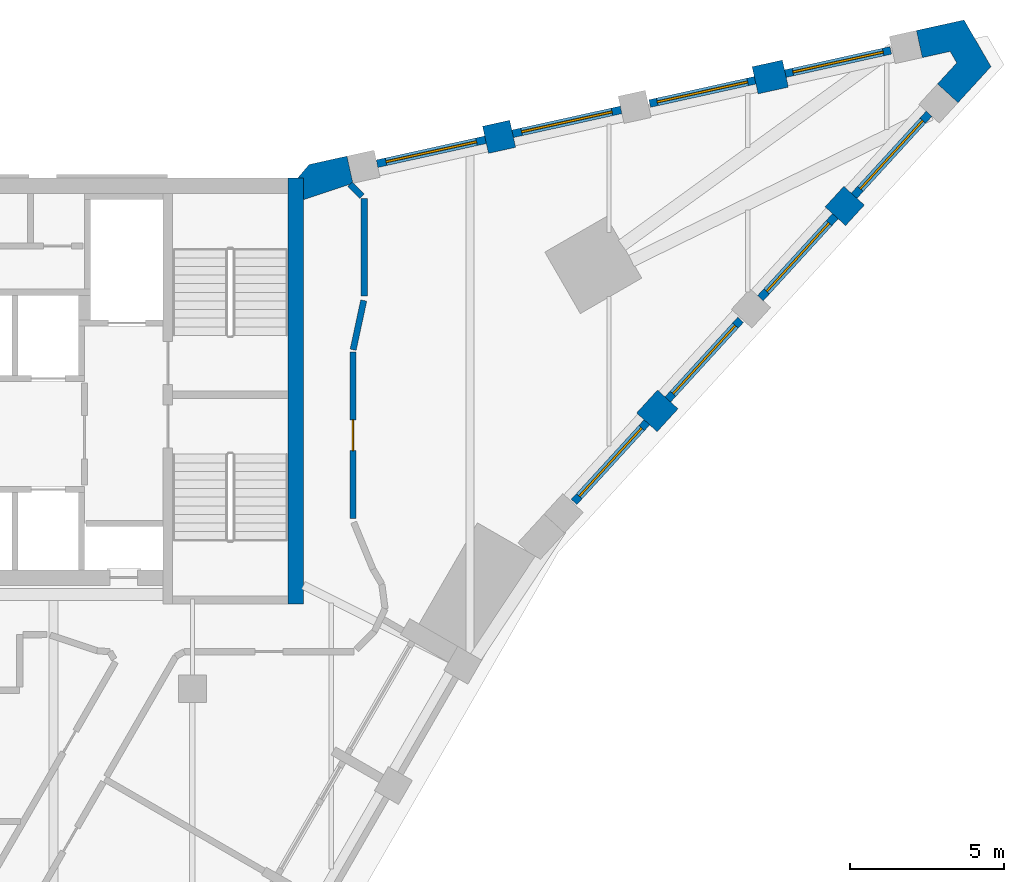
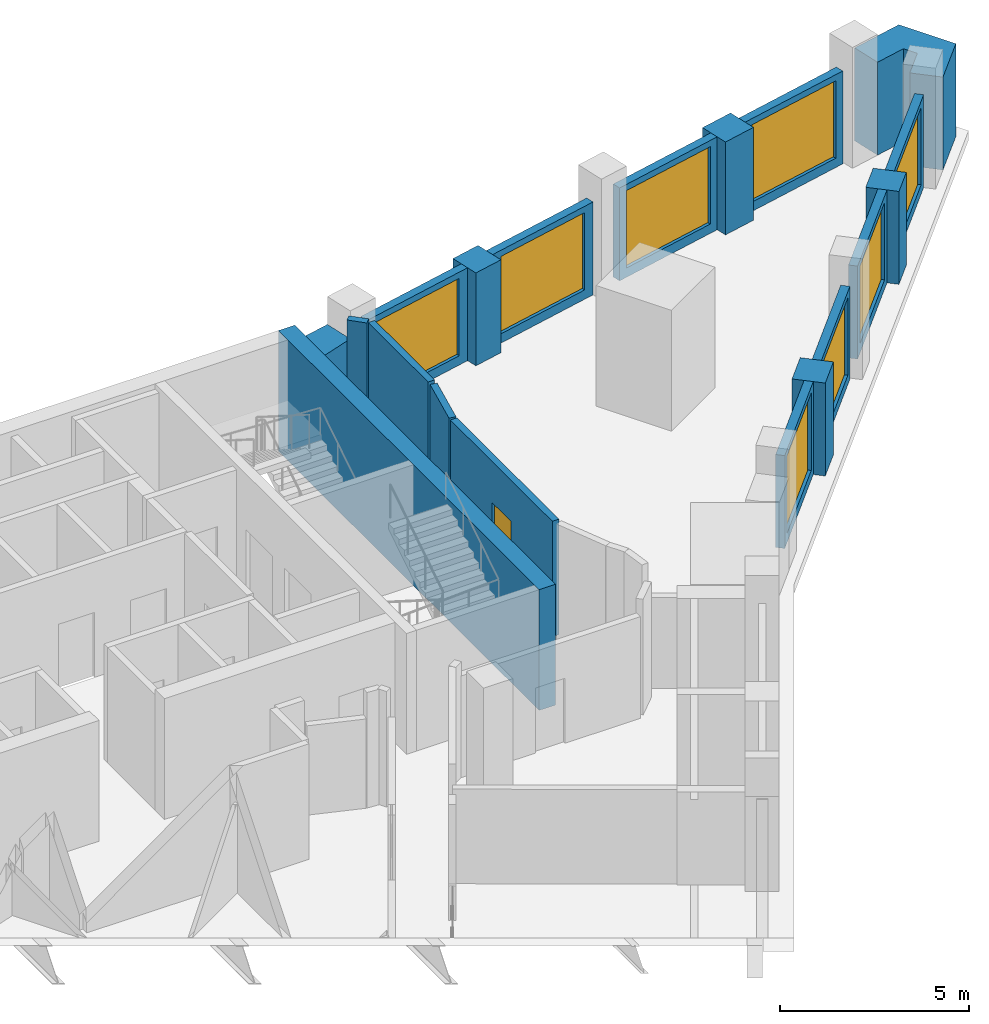
# One storey, part 7 of 9: 19 walls, 8 windows, 1 door, 9 openings.
"""IFC4 building model written with IfcOpenShell, lengths in metres."""

import ifcopenshell
import ifcopenshell.guid

model = None  # the IFC model being written
_history = None  # IfcOwnerHistory: only IFC2X3 demands one
_inside = {}  # id of a spatial element -> (the spatial element, [elements in it])
_under = {}  # id of a project, library or spatial element -> (it, [spatial elements below it])
_declared = {}  # id of a project -> (the project, [libraries it declares])
_typed = {}  # id of a type object -> (the type object, [elements of that type])
_made_of = {}  # id of a material, layer set ... -> (it, [elements and type objects made of it])


def new_model(schema):
    """Start an empty IFC model of exactly this schema.

    Asked for "IFC4X3", IfcOpenShell would pick the latest addendum, in which some entities
    have other attributes; the version numbers below select the first issue.
    IFC2X3 requires an IfcOwnerHistory on every rooted entity: one is made here for all.
    """
    global model, _history
    if schema == "IFC4X3":
        model = ifcopenshell.file(schema_version=(4, 3, 0, 0))
    else:
        model = ifcopenshell.file(schema=schema)
    _inside.clear()
    _under.clear()
    _declared.clear()
    _typed.clear()
    _made_of.clear()
    _history = None
    if model.schema == "IFC2X3":
        org = make("IfcOrganization", Name="unknown")
        user = make(
            "IfcPersonAndOrganization",
            ThePerson=make("IfcPerson", FamilyName="unknown"),
            TheOrganization=org,
        )
        app = make(
            "IfcApplication",
            ApplicationDeveloper=org,
            Version="unknown",
            ApplicationFullName="unknown",
            ApplicationIdentifier="unknown",
        )
        _history = make(
            "IfcOwnerHistory",
            OwningUser=user,
            OwningApplication=app,
            ChangeAction="ADDED",
            CreationDate=0,
        )
    return model


def make(cls, **values):
    """One entity of the class cls with the attributes given. An attribute that is None is left unset."""
    return model.create_entity(
        cls, **{name: value for name, value in values.items() if value is not None}
    )


def rooted(cls, **values):
    """An entity with a GlobalId (a new one), such as an element, a storey or a relation."""
    return make(cls, GlobalId=ifcopenshell.guid.new(), OwnerHistory=_history, **values)


def si_unit(unit_type, name, prefix=None):
    """IfcSIUnit, for example si_unit("LENGTHUNIT", "METRE", prefix="MILLI")."""
    return make("IfcSIUnit", UnitType=unit_type, Prefix=prefix, Name=name)


def assignment(units):
    """IfcUnitAssignment: the units of a project."""
    return None if units is None else make("IfcUnitAssignment", Units=units)


def point(xyz):
    """IfcCartesianPoint."""
    return None if xyz is None else make("IfcCartesianPoint", Coordinates=xyz)


def direction(xyz):
    """IfcDirection."""
    return None if xyz is None else make("IfcDirection", DirectionRatios=xyz)


def frame(location, z_axis=None, x_axis=None):
    """IfcAxis2Placement3D, a coordinate frame: its origin and axes. An axis left out is left unset."""
    return make(
        "IfcAxis2Placement3D",
        Location=point(location),
        Axis=direction(z_axis),
        RefDirection=direction(x_axis),
    )


def frame_2d(location, x_axis=None):
    """IfcAxis2Placement2D, a coordinate frame in the plane: its origin and x axis."""
    return make(
        "IfcAxis2Placement2D", Location=point(location), RefDirection=direction(x_axis)
    )


def origin():
    """The frame at (0, 0, 0) with its axes left unset."""
    return frame((0.0, 0.0, 0.0))


def place(relative_to, where):
    """IfcLocalPlacement: puts the frame where relative to a parent placement (None: the world)."""
    return make(
        "IfcLocalPlacement", PlacementRelTo=relative_to, RelativePlacement=where
    )


def context(
    kind, dimensions, precision=None, world=None, true_north=None, identifier=None
):
    """IfcGeometricRepresentationContext, for example the 3D "Model" context."""
    return make(
        "IfcGeometricRepresentationContext",
        ContextIdentifier=identifier,
        ContextType=kind,
        CoordinateSpaceDimension=dimensions,
        Precision=precision,
        WorldCoordinateSystem=world,
        TrueNorth=true_north,
    )


def subcontext(parent, identifier, kind, view, scale=None):
    """IfcGeometricRepresentationSubContext, for example "Body" below "Model"."""
    return make(
        "IfcGeometricRepresentationSubContext",
        ContextIdentifier=identifier,
        ContextType=kind,
        ParentContext=parent,
        TargetScale=scale,
        TargetView=view,
    )


def project(units=None, contexts=None):
    """IfcProject with its units and contexts."""
    return rooted(
        "IfcProject",
        Name="project",
        RepresentationContexts=contexts,
        UnitsInContext=assignment(units),
    )


def spatial(cls, under=None, at=None, **own):
    """A site, building, storey or space (cls), placed at a placement, below another one or the project."""
    s = rooted(cls, ObjectPlacement=at, **own)
    if under is not None:
        _under.setdefault(under.id(), (under, []))[1].append(s)
    return s


def polyline(points):
    """IfcPolyline through the points."""
    return make("IfcPolyline", Points=[point(p) for p in points])


def profile(cls, at=None, kind="AREA", **sizes):
    """A parametric profile (cls). Its sizes go by their IFC names, for example OverallWidth=200.0."""
    return make(cls, ProfileType=kind, Position=at, **sizes)


def rectangle(**sizes):
    """IfcRectangleProfileDef."""
    return profile("IfcRectangleProfileDef", **sizes)


def outline(outer, holes=None, kind="AREA"):
    """IfcArbitraryClosedProfileDef: a profile drawn as a closed curve; with holes, ...WithVoids."""
    if holes is None:
        return make("IfcArbitraryClosedProfileDef", ProfileType=kind, OuterCurve=outer)
    return make(
        "IfcArbitraryProfileDefWithVoids",
        ProfileType=kind,
        OuterCurve=outer,
        InnerCurves=holes,
    )


def extrude(swept, where, along, depth):
    """IfcExtrudedAreaSolid: the profile swept, set in the frame where, extruded along a direction by depth."""
    return make(
        "IfcExtrudedAreaSolid",
        SweptArea=swept,
        Position=where,
        ExtrudedDirection=direction(along),
        Depth=depth,
    )


def shape(context_of_items, identifier, shape_type, items):
    """IfcShapeRepresentation: the items that make up one representation, for example the "Body"."""
    return make(
        "IfcShapeRepresentation",
        ContextOfItems=context_of_items,
        RepresentationIdentifier=identifier,
        RepresentationType=shape_type,
        Items=items,
    )


def material(Name=None, Category=None):
    """IfcMaterial."""
    return make("IfcMaterial", Name=Name, Category=Category)


def layer(
    of_material, thickness, ventilated=None, Name=None, Category=None, Priority=None
):
    """IfcMaterialLayer: one layer of a wall or slab, of a material (None: an air gap)."""
    return make(
        "IfcMaterialLayer",
        Material=of_material,
        LayerThickness=thickness,
        IsVentilated=ventilated,
        Name=Name,
        Category=Category,
        Priority=Priority,
    )


def layer_set(layers, Name=None):
    """IfcMaterialLayerSet."""
    return make("IfcMaterialLayerSet", MaterialLayers=layers, LayerSetName=Name)


def made_of(thing, what):
    """Note that an element or type object is made of a material, layer set ...; save() writes the relation."""
    if what is not None:
        _made_of.setdefault(what.id(), (what, []))[1].append(thing)
    return thing


def type_object(cls, material=None, **own):
    """A type object (cls), such as IfcWallType, which elements share."""
    return made_of(rooted(cls, **own), material)


def element(
    cls,
    number,
    at=None,
    inside=None,
    cuts=None,
    type_object=None,
    material=None,
    context=None,
    identifier="Body",
    shape_type=None,
    held_by="IfcProductDefinitionShape",
    body=None,
    shapes=None,
    **own,
):
    """One element of the class cls, such as IfcWall. Its Tag is "e" and its number.

    at: its placement. inside: the storey or other place that contains it. cuts: it is an
    opening in that element (IfcRelVoidsElement). A single representation is given by context,
    identifier, shape_type and body (its items); several are given by shapes. held_by: the class
    of the entity that holds the representations. save() writes the other relations.
    """
    e = rooted(cls, Tag="e%d" % number, ObjectPlacement=at, **own)
    if body is not None:
        shapes = [shape(context, identifier, shape_type, body)]
    if shapes is not None:
        e.Representation = make(held_by, Representations=shapes)
    if inside is not None:
        _inside.setdefault(inside.id(), (inside, []))[1].append(e)
    if cuts is not None:
        rooted(
            "IfcRelVoidsElement", RelatingBuildingElement=cuts, RelatedOpeningElement=e
        )
    if type_object is not None:
        _typed.setdefault(type_object.id(), (type_object, []))[1].append(e)
    return made_of(e, material)


def fill(opening, filler):
    """IfcRelFillsElement: the door or window that sits in an opening."""
    return rooted(
        "IfcRelFillsElement",
        RelatingOpeningElement=opening,
        RelatedBuildingElement=filler,
    )


def aggregate(whole, parts):
    """IfcRelAggregates: a whole, such as a stair, and the parts it consists of."""
    return rooted("IfcRelAggregates", RelatingObject=whole, RelatedObjects=parts)


def save(model, path):
    """Write the relations noted so far, then the file.

    IfcRelAggregates (storeys below a building ...), IfcRelContainedInSpatialStructure (elements
    in a storey), IfcRelDefinesByType, IfcRelAssociatesMaterial and IfcRelDeclares: one each for
    every whole, place, type object, material and project.
    """
    for whole, parts in _under.values():
        aggregate(whole, parts)
    for where, things in _inside.values():
        rooted(
            "IfcRelContainedInSpatialStructure",
            RelatedElements=things,
            RelatingStructure=where,
        )
    for kind, things in _typed.values():
        rooted("IfcRelDefinesByType", RelatedObjects=things, RelatingType=kind)
    for what, things in _made_of.values():
        rooted("IfcRelAssociatesMaterial", RelatedObjects=things, RelatingMaterial=what)
    for by, libraries in _declared.values():
        rooted("IfcRelDeclares", RelatingContext=by, RelatedDefinitions=libraries)
    model.write(path)


model = new_model("IFC4")

# Units and contexts
model_context = context("Model", 3, precision=1e-05, world=origin(), true_north=direction((0.0, 1.0)))
body_context = subcontext(model_context, "Body", "Model", "MODEL_VIEW")
ifc_project = project(units=[si_unit("LENGTHUNIT", "METRE"), si_unit("AREAUNIT", "SQUARE_METRE"), si_unit("VOLUMEUNIT", "CUBIC_METRE"), si_unit("PLANEANGLEUNIT", "RADIAN"), si_unit("MASSUNIT", "GRAM", prefix="KILO")], contexts=[model_context])

# Site, building, storey
site_placement = place(None, origin())
site = spatial("IfcSite", under=ifc_project, at=site_placement, CompositionType="ELEMENT")
building_placement = place(site_placement, origin())
building = spatial("IfcBuilding", under=site, at=building_placement, Name="Calabash Gate Tower", CompositionType="ELEMENT")
storey_placement = place(building_placement, frame((0.0, 0.0, 248.199951171875)))
storey = spatial("IfcBuildingStorey", under=building, at=storey_placement, Name="L59", CompositionType="ELEMENT", Elevation=248.199951171875)

# Walls
ifc_material_1 = material(Name="Terracotta brick masonry, exposed face", Category="masonry")
ifc_layer_1 = layer(ifc_material_1, 0.89990234375)
ifc_layer_set_1 = layer_set([ifc_layer_1], Name="Brick end wall 900")
wall_type_1 = type_object("IfcWallType", Name="Brick end wall 900", PredefinedType="SOLIDWALL", material=ifc_layer_set_1)
wall_1_placement = place(storey_placement, frame((23.728515625, 11.135009765625, 0.0), z_axis=(0.0, 0.0, 1.0), x_axis=(0.674788120713, 0.738011512203, 0.0)))
element("IfcWall", 1, at=wall_1_placement, inside=storey, type_object=wall_type_1, Name="Brick pier S17 wedge3.1", PredefinedType="SOLIDWALL", context=body_context, shape_type="SweptSolid", body=[
    extrude(rectangle(XDim=1.00390625, YDim=0.89990234375, at=frame_2d((0.501953125, 0.0))), origin(), (0.0, 0.0, 1.0), 3.0),
])
wall_2_placement = place(storey_placement, frame((30.44482421875, 18.47900390625, 0.0), z_axis=(0.0, 0.0, 1.0), x_axis=(-0.674938051731, -0.737874397391, 0.0)))
element("IfcWall", 2, at=wall_2_placement, inside=storey, type_object=wall_type_1, Name="Brick pier S17 wedge3.3", PredefinedType="SOLIDWALL", context=body_context, shape_type="SweptSolid", body=[
    extrude(rectangle(XDim=0.89990234375, YDim=0.89990234375, at=frame_2d((0.449951171875, 0.0))), origin(), (0.0, 0.0, 1.0), 3.0),
])
wall_3_placement = place(storey_placement, frame((28.21728515625, 22.436279296875, 0.0), z_axis=(0.0, 0.0, 1.0), x_axis=(-0.97656888558, -0.215205045752, 0.0)))
element("IfcWall", 3, at=wall_3_placement, inside=storey, type_object=wall_type_1, Name="Brick pier S17 wedge5.1", PredefinedType="SOLIDWALL", context=body_context, shape_type="SweptSolid", body=[
    extrude(rectangle(XDim=1.00390625, YDim=0.89990234375, at=frame_2d((0.501953125, 0.0))), origin(), (0.0, 0.0, 1.0), 3.0),
])
wall_4_placement = place(storey_placement, frame((18.4990234375, 20.2919921875, 0.0), z_axis=(0.0, 0.0, 1.0), x_axis=(0.976473402733, 0.215637876437, 0.0)))
element("IfcWall", 4, at=wall_4_placement, inside=storey, type_object=wall_type_1, Name="Brick pier S17 wedge5.3", PredefinedType="SOLIDWALL", context=body_context, shape_type="SweptSolid", body=[
    extrude(rectangle(XDim=0.900146484375, YDim=0.89990234375, at=frame_2d((0.4501953125, 0.0))), origin(), (0.0, 0.0, 1.0), 3.0),
])
wall_5_placement = place(storey_placement, origin())
element("IfcWall", 5, at=wall_5_placement, inside=storey, type_object=wall_type_1, Name="Brick end wall S17 2", PredefinedType="SOLIDWALL", context=body_context, shape_type="SweptSolid", body=[
    extrude(outline(polyline([(33.813720703125, 21.496337890625), (34.881591796875, 22.663818359375), (34.0087890625, 24.175048828125), (32.4638671875, 23.834228515625), (32.65771484375, 22.955322265625), (33.55908203125, 23.154296875), (33.7724609375, 22.78466796875), (33.149658203125, 22.103759765625), (33.813720703125, 21.496337890625)])), origin(), (0.0, 0.0, 1.0), 3.0),
])
wall_6_placement = place(storey_placement, origin())
element("IfcWall", 6, at=wall_6_placement, inside=storey, type_object=wall_type_1, Name="Brick end wall S17 3", PredefinedType="SOLIDWALL", context=body_context, shape_type="SweptSolid", body=[
    extrude(outline(polyline([(14.201416015625, 18.883056640625), (14.0078125, 19.761962890625), (12.784423828125, 19.491943359375), (12.410400390625, 19.052490234375), (12.60009765625, 19.052490234375), (12.60009765625, 18.351806640625), (14.201416015625, 18.883056640625)])), origin(), (0.0, 0.0, 1.0), 3.0),
])
ifc_material_2 = material(Name="Concrete C60/75", Category="concrete")
ifc_layer_2 = layer(ifc_material_2, 0.5)
ifc_layer_set_2 = layer_set([ifc_layer_2], Name="Core wall 500 Concrete C60/75")
wall_type_2 = type_object("IfcWallType", Name="Core wall 500 Concrete C60/75", PredefinedType="SHEAR", material=ifc_layer_set_2)
wall_7_placement = place(storey_placement, frame((12.35009765625, 5.252685546875, 0.0), z_axis=(0.0, 0.0, 1.0), x_axis=(0.0, 1.0, 0.0)))
element("IfcWall", 7, at=wall_7_placement, inside=storey, type_object=wall_type_2, Name="Core wall Z5-COLE L59", PredefinedType="SHEAR", context=body_context, shape_type="SweptSolid", body=[
    extrude(rectangle(XDim=13.7998046875, YDim=0.5, at=frame_2d((6.89990234375, 0.0))), origin(), (0.0, 0.0, 1.0), 3.900146484375),
])

# Wall, opening, door
ifc_material_3 = material(Name="Gypsum board on steel studs, mineral wool", Category="steel")
ifc_layer_3 = layer(ifc_material_3, 0.199951171875)
ifc_layer_set_3 = layer_set([ifc_layer_3], Name="Partition 200 gypsum board EI 60")
wall_type_3 = type_object("IfcWallType", Name="Partition 200 gypsum board EI 60", PredefinedType="PARTITIONING", material=ifc_layer_set_3)
wall_8_placement = place(storey_placement, frame((14.200439453125, 8.017333984375, 0.0), z_axis=(0.0, 0.0, 1.0), x_axis=(0.0, 1.0, 0.0)))
wall_8 = element("IfcWall", 8, at=wall_8_placement, inside=storey, type_object=wall_type_3, Name="Partition", PredefinedType="PARTITIONING", context=body_context, shape_type="SweptSolid", body=[
    extrude(rectangle(XDim=5.400146484375, YDim=0.199951171875, at=frame_2d((2.7001953125, 0.0))), origin(), (0.0, 0.0, 1.0), 3.72998046875),
])
opening_1_placement = place(wall_8_placement, frame((2.2001953125, 0.0, 0.0)))
opening_1 = element("IfcOpeningElement", 9, at=opening_1_placement, cuts=wall_8, Name="Opening 59-61-010", PredefinedType="OPENING", context=body_context, shape_type="SweptSolid", body=[
    extrude(rectangle(XDim=1.0, YDim=2.39990234375, at=frame_2d((0.5, 1.199951171875))), frame((0.0, 0.10986328125, 0.0), z_axis=(0.0, -1.0, 0.0), x_axis=(1.0, 0.0, 0.0)), (0.0, 0.0, 1.0), 0.219970703125),
])
ifc_material_4 = material(Name="Painted timber door", Category="wood")
door_type = type_object("IfcDoorType", Name="OD2 Glazed office door 1000x2400", OperationType="NOTDEFINED", PredefinedType="DOOR", material=ifc_material_4)
door_placement = place(opening_1_placement, origin())
door = element("IfcDoor", 10, at=door_placement, inside=storey, type_object=door_type, Name="Glazed office door", OperationType="SINGLE_SWING_LEFT", OverallHeight=2.39990234375, OverallWidth=1.0, PredefinedType="DOOR", context=body_context, shape_type="SweptSolid", body=[
    extrude(rectangle(XDim=1.0, YDim=2.39990234375, at=frame_2d((0.5, 1.199951171875))), frame((0.0, 0.02490234375, 0.0), z_axis=(0.0, -1.0, 0.0), x_axis=(1.0, 0.0, 0.0)), (0.0, 0.0, 1.0), 0.050048828125),
])
fill(opening_1, door)

# Walls
wall_9_placement = place(storey_placement, frame((14.2080078125, 13.48681640625, 0.0), z_axis=(0.0, 0.0, 1.0), x_axis=(0.210294567168, 0.977638069543, 0.0)))
element("IfcWall", 11, at=wall_9_placement, inside=storey, type_object=wall_type_3, Name="Partition", PredefinedType="PARTITIONING", context=body_context, shape_type="SweptSolid", body=[
    extrude(rectangle(XDim=1.633544921875, YDim=0.199951171875, at=frame_2d((0.81689453125, 0.0))), origin(), (0.0, 0.0, 1.0), 3.72998046875),
])
wall_10_placement = place(storey_placement, frame((14.566162109375, 18.392578125, 0.0), z_axis=(0.0, 0.0, 1.0), x_axis=(0.0, -1.0, 0.0)))
element("IfcWall", 12, at=wall_10_placement, inside=storey, type_object=wall_type_3, Name="Partition", PredefinedType="PARTITIONING", context=body_context, shape_type="SweptSolid", body=[
    extrude(rectangle(XDim=3.169921875, YDim=0.199951171875, at=frame_2d((1.5849609375, 0.0))), origin(), (0.0, 0.0, 1.0), 3.72998046875),
])
wall_11_placement = place(storey_placement, frame((14.107177734375, 18.851806640625, 0.0), z_axis=(0.0, 0.0, 1.0), x_axis=(0.707106781187, -0.707106781187, 0.0)))
element("IfcWall", 13, at=wall_11_placement, inside=storey, type_object=wall_type_3, Name="Partition", PredefinedType="PARTITIONING", context=body_context, shape_type="SweptSolid", body=[
    extrude(rectangle(XDim=0.54931640625, YDim=0.199951171875, at=frame_2d((0.274658203125, 0.0))), origin(), (0.0, 0.0, 1.0), 3.72998046875),
])

# Wall, opening, window
ifc_material_5 = material(Name="Aluminium framed window wall with insulated spandrel", Category="aluminium")
ifc_layer_4 = layer(ifc_material_5, 0.25)
ifc_layer_set_4 = layer_set([ifc_layer_4], Name="Prow window wall 250")
wall_type_4 = type_object("IfcWallType", Name="Prow window wall 250", PredefinedType="ELEMENTEDWALL", material=ifc_layer_set_4)
wall_12_placement = place(storey_placement, frame((21.367919921875, 8.5537109375, 0.0), z_axis=(0.0, 0.0, 1.0), x_axis=(0.67487449122, 0.737932531537, 0.0)))
wall_12 = element("IfcWall", 14, at=wall_12_placement, inside=storey, type_object=wall_type_4, Name="Prow window wall S17 wedge3.1", PredefinedType="ELEMENTEDWALL", context=body_context, shape_type="SweptSolid", body=[
    extrude(rectangle(XDim=3.5, YDim=0.25, at=frame_2d((1.75, 0.0))), origin(), (0.0, 0.0, 1.0), 3.0),
])
opening_2_placement = place(wall_12_placement, frame((0.25, 0.0, 0.300048828125)))
opening_2 = element("IfcOpeningElement", 15, at=opening_2_placement, cuts=wall_12, Name="Opening WP2", PredefinedType="OPENING", context=body_context, shape_type="SweptSolid", body=[
    extrude(rectangle(XDim=3.0, YDim=2.5, at=frame_2d((1.5, 1.25))), frame((0.0, 0.135009765625, 0.0), z_axis=(0.0, -1.0, 0.0), x_axis=(1.0, 0.0, 0.0)), (0.0, 0.0, 1.0), 0.27001953125),
])
ifc_material_6 = material(Name="Anodised aluminium frame, bronze finish, impact-rated laminated clear glazing", Category="aluminium")
window_type = type_object("IfcWindowType", Name="Window WP2 3000x2500", PartitioningType="DOUBLE_PANEL_VERTICAL", PredefinedType="WINDOW", material=ifc_material_6)
window_1_placement = place(opening_2_placement, origin())
window_1 = element("IfcWindow", 16, at=window_1_placement, inside=storey, type_object=window_type, Name="Prow window WP2 S17 wedge3.1", OverallHeight=2.5, OverallWidth=3.0, PartitioningType="SINGLE_PANEL", PredefinedType="WINDOW", context=body_context, shape_type="SweptSolid", body=[
    extrude(rectangle(XDim=3.0, YDim=2.5, at=frame_2d((1.5, 1.25))), frame((0.0, 0.030029296875, 0.0), z_axis=(0.0, -1.0, 0.0), x_axis=(1.0, 0.0, 0.0)), (0.0, 0.0, 1.0), 0.06005859375),
])
fill(opening_2, window_1)

wall_13_placement = place(storey_placement, frame((24.40478515625, 11.87451171875, 0.0), z_axis=(0.0, 0.0, 1.0), x_axis=(0.67487449122, 0.737932531537, 0.0)))
wall_13 = element("IfcWall", 17, at=wall_13_placement, inside=storey, type_object=wall_type_4, Name="Prow window wall S17 wedge3.2", PredefinedType="ELEMENTEDWALL", context=body_context, shape_type="SweptSolid", body=[
    extrude(rectangle(XDim=3.5, YDim=0.25, at=frame_2d((1.75, 0.0))), origin(), (0.0, 0.0, 1.0), 3.0),
])
opening_3_placement = place(wall_13_placement, frame((0.25, 0.0, 0.300048828125)))
opening_3 = element("IfcOpeningElement", 18, at=opening_3_placement, cuts=wall_13, Name="Opening WP2", PredefinedType="OPENING", context=body_context, shape_type="SweptSolid", body=[
    extrude(rectangle(XDim=3.0, YDim=2.5, at=frame_2d((1.5, 1.25))), frame((0.0, 0.135009765625, 0.0), z_axis=(0.0, -1.0, 0.0), x_axis=(1.0, 0.0, 0.0)), (0.0, 0.0, 1.0), 0.27001953125),
])
window_2_placement = place(opening_3_placement, origin())
window_2 = element("IfcWindow", 19, at=window_2_placement, inside=storey, type_object=window_type, Name="Prow window WP2 S17 wedge3.2", OverallHeight=2.5, OverallWidth=3.0, PartitioningType="SINGLE_PANEL", PredefinedType="WINDOW", context=body_context, shape_type="SweptSolid", body=[
    extrude(rectangle(XDim=3.0, YDim=2.5, at=frame_2d((1.5, 1.25))), frame((0.0, 0.030029296875, 0.0), z_axis=(0.0, -1.0, 0.0), x_axis=(1.0, 0.0, 0.0)), (0.0, 0.0, 1.0), 0.06005859375),
])
fill(opening_3, window_2)

wall_14_placement = place(storey_placement, frame((27.407958984375, 15.158203125, 0.0), z_axis=(0.0, 0.0, 1.0), x_axis=(0.674833575111, 0.737969949187, 0.0)))
wall_14 = element("IfcWall", 20, at=wall_14_placement, inside=storey, type_object=wall_type_4, Name="Prow window wall S17 wedge3.3", PredefinedType="ELEMENTEDWALL", context=body_context, shape_type="SweptSolid", body=[
    extrude(rectangle(XDim=3.60009765625, YDim=0.25, at=frame_2d((1.800048828125, 0.0))), origin(), (0.0, 0.0, 1.0), 3.0),
])
opening_4_placement = place(wall_14_placement, frame((0.300048828125, 0.0, 0.300048828125)))
opening_4 = element("IfcOpeningElement", 21, at=opening_4_placement, cuts=wall_14, Name="Opening WP2", PredefinedType="OPENING", context=body_context, shape_type="SweptSolid", body=[
    extrude(rectangle(XDim=3.0, YDim=2.5, at=frame_2d((1.5, 1.25))), frame((0.0, 0.135009765625, 0.0), z_axis=(0.0, -1.0, 0.0), x_axis=(1.0, 0.0, 0.0)), (0.0, 0.0, 1.0), 0.27001953125),
])
window_3_placement = place(opening_4_placement, origin())
window_3 = element("IfcWindow", 22, at=window_3_placement, inside=storey, type_object=window_type, Name="Prow window WP2 S17 wedge3.3", OverallHeight=2.5, OverallWidth=3.0, PartitioningType="SINGLE_PANEL", PredefinedType="WINDOW", context=body_context, shape_type="SweptSolid", body=[
    extrude(rectangle(XDim=3.0, YDim=2.5, at=frame_2d((1.5, 1.25))), frame((0.0, 0.030029296875, 0.0), z_axis=(0.0, -1.0, 0.0), x_axis=(1.0, 0.0, 0.0)), (0.0, 0.0, 1.0), 0.06005859375),
])
fill(opening_4, window_3)

wall_15_placement = place(storey_placement, frame((30.44482421875, 18.47900390625, 0.0), z_axis=(0.0, 0.0, 1.0), x_axis=(0.674833575111, 0.737969949187, 0.0)))
wall_15 = element("IfcWall", 23, at=wall_15_placement, inside=storey, type_object=wall_type_4, Name="Prow window wall S17 wedge3.4", PredefinedType="ELEMENTEDWALL", context=body_context, shape_type="SweptSolid", body=[
    extrude(rectangle(XDim=3.60009765625, YDim=0.25, at=frame_2d((1.800048828125, 0.0))), origin(), (0.0, 0.0, 1.0), 3.0),
])
opening_5_placement = place(wall_15_placement, frame((0.300048828125, 0.0, 0.300048828125)))
opening_5 = element("IfcOpeningElement", 24, at=opening_5_placement, cuts=wall_15, Name="Opening WP2", PredefinedType="OPENING", context=body_context, shape_type="SweptSolid", body=[
    extrude(rectangle(XDim=3.0, YDim=2.5, at=frame_2d((1.5, 1.25))), frame((0.0, 0.135009765625, 0.0), z_axis=(0.0, -1.0, 0.0), x_axis=(1.0, 0.0, 0.0)), (0.0, 0.0, 1.0), 0.27001953125),
])
window_4_placement = place(opening_5_placement, origin())
window_4 = element("IfcWindow", 25, at=window_4_placement, inside=storey, type_object=window_type, Name="Prow window WP2 S17 wedge3.4", OverallHeight=2.5, OverallWidth=3.0, PartitioningType="SINGLE_PANEL", PredefinedType="WINDOW", context=body_context, shape_type="SweptSolid", body=[
    extrude(rectangle(XDim=3.0, YDim=2.5, at=frame_2d((1.5, 1.25))), frame((0.0, 0.030029296875, 0.0), z_axis=(0.0, -1.0, 0.0), x_axis=(1.0, 0.0, 0.0)), (0.0, 0.0, 1.0), 0.06005859375),
])
fill(opening_5, window_4)

wall_16_placement = place(storey_placement, frame((31.633056640625, 23.190185546875, 0.0), z_axis=(0.0, 0.0, 1.0), x_axis=(-0.976509313763, -0.215475196101, 0.0)))
wall_16 = element("IfcWall", 26, at=wall_16_placement, inside=storey, type_object=wall_type_4, Name="Prow window wall S17 wedge5.1", PredefinedType="ELEMENTEDWALL", context=body_context, shape_type="SweptSolid", body=[
    extrude(rectangle(XDim=3.5, YDim=0.25, at=frame_2d((1.75, 0.0))), origin(), (0.0, 0.0, 1.0), 3.0),
])
opening_6_placement = place(wall_16_placement, frame((0.25, 0.0, 0.300048828125)))
opening_6 = element("IfcOpeningElement", 27, at=opening_6_placement, cuts=wall_16, Name="Opening WP2", PredefinedType="OPENING", context=body_context, shape_type="SweptSolid", body=[
    extrude(rectangle(XDim=3.0, YDim=2.5, at=frame_2d((1.5, 1.25))), frame((0.0, 0.135009765625, 0.0), z_axis=(0.0, -1.0, 0.0), x_axis=(1.0, 0.0, 0.0)), (0.0, 0.0, 1.0), 0.27001953125),
])
window_5_placement = place(opening_6_placement, origin())
window_5 = element("IfcWindow", 28, at=window_5_placement, inside=storey, type_object=window_type, Name="Prow window WP2 S17 wedge5.1", OverallHeight=2.5, OverallWidth=3.0, PartitioningType="SINGLE_PANEL", PredefinedType="WINDOW", context=body_context, shape_type="SweptSolid", body=[
    extrude(rectangle(XDim=3.0, YDim=2.5, at=frame_2d((1.5, 1.25))), frame((0.0, 0.030029296875, 0.0), z_axis=(0.0, -1.0, 0.0), x_axis=(1.0, 0.0, 0.0)), (0.0, 0.0, 1.0), 0.06005859375),
])
fill(opening_6, window_5)

wall_17_placement = place(storey_placement, frame((27.23876953125, 22.220458984375, 0.0), z_axis=(0.0, 0.0, 1.0), x_axis=(-0.976509313763, -0.215475196101, 0.0)))
wall_17 = element("IfcWall", 29, at=wall_17_placement, inside=storey, type_object=wall_type_4, Name="Prow window wall S17 wedge5.2", PredefinedType="ELEMENTEDWALL", context=body_context, shape_type="SweptSolid", body=[
    extrude(rectangle(XDim=3.5, YDim=0.25, at=frame_2d((1.75, 0.0))), origin(), (0.0, 0.0, 1.0), 3.0),
])
opening_7_placement = place(wall_17_placement, frame((0.25, 0.0, 0.300048828125)))
opening_7 = element("IfcOpeningElement", 30, at=opening_7_placement, cuts=wall_17, Name="Opening WP2", PredefinedType="OPENING", context=body_context, shape_type="SweptSolid", body=[
    extrude(rectangle(XDim=3.0, YDim=2.5, at=frame_2d((1.5, 1.25))), frame((0.0, 0.135009765625, 0.0), z_axis=(0.0, -1.0, 0.0), x_axis=(1.0, 0.0, 0.0)), (0.0, 0.0, 1.0), 0.27001953125),
])
window_6_placement = place(opening_7_placement, origin())
window_6 = element("IfcWindow", 31, at=window_6_placement, inside=storey, type_object=window_type, Name="Prow window WP2 S17 wedge5.2", OverallHeight=2.5, OverallWidth=3.0, PartitioningType="SINGLE_PANEL", PredefinedType="WINDOW", context=body_context, shape_type="SweptSolid", body=[
    extrude(rectangle(XDim=3.0, YDim=2.5, at=frame_2d((1.5, 1.25))), frame((0.0, 0.030029296875, 0.0), z_axis=(0.0, -1.0, 0.0), x_axis=(1.0, 0.0, 0.0)), (0.0, 0.0, 1.0), 0.06005859375),
])
fill(opening_7, window_6)

wall_18_placement = place(storey_placement, frame((22.893310546875, 21.26171875, 0.0), z_axis=(0.0, 0.0, 1.0), x_axis=(-0.976513072969, -0.215458159096, 0.0)))
wall_18 = element("IfcWall", 32, at=wall_18_placement, inside=storey, type_object=wall_type_4, Name="Prow window wall S17 wedge5.3", PredefinedType="ELEMENTEDWALL", context=body_context, shape_type="SweptSolid", body=[
    extrude(rectangle(XDim=3.599853515625, YDim=0.25, at=frame_2d((1.7998046875, 0.0))), origin(), (0.0, 0.0, 1.0), 3.0),
])
opening_8_placement = place(wall_18_placement, frame((0.300048828125, 0.0, 0.300048828125)))
opening_8 = element("IfcOpeningElement", 33, at=opening_8_placement, cuts=wall_18, Name="Opening WP2", PredefinedType="OPENING", context=body_context, shape_type="SweptSolid", body=[
    extrude(rectangle(XDim=3.0, YDim=2.5, at=frame_2d((1.5, 1.25))), frame((0.0, 0.135009765625, 0.0), z_axis=(0.0, -1.0, 0.0), x_axis=(1.0, 0.0, 0.0)), (0.0, 0.0, 1.0), 0.27001953125),
])
window_7_placement = place(opening_8_placement, origin())
window_7 = element("IfcWindow", 34, at=window_7_placement, inside=storey, type_object=window_type, Name="Prow window WP2 S17 wedge5.3", OverallHeight=2.5, OverallWidth=3.0, PartitioningType="SINGLE_PANEL", PredefinedType="WINDOW", context=body_context, shape_type="SweptSolid", body=[
    extrude(rectangle(XDim=3.0, YDim=2.5, at=frame_2d((1.5, 1.25))), frame((0.0, 0.030029296875, 0.0), z_axis=(0.0, -1.0, 0.0), x_axis=(1.0, 0.0, 0.0)), (0.0, 0.0, 1.0), 0.06005859375),
])
fill(opening_8, window_7)

wall_19_placement = place(storey_placement, frame((18.4990234375, 20.2919921875, 0.0), z_axis=(0.0, 0.0, 1.0), x_axis=(-0.976513072969, -0.215458159096, 0.0)))
wall_19 = element("IfcWall", 35, at=wall_19_placement, inside=storey, type_object=wall_type_4, Name="Prow window wall S17 wedge5.4", PredefinedType="ELEMENTEDWALL", context=body_context, shape_type="SweptSolid", body=[
    extrude(rectangle(XDim=3.599853515625, YDim=0.25, at=frame_2d((1.7998046875, 0.0))), origin(), (0.0, 0.0, 1.0), 3.0),
])
opening_9_placement = place(wall_19_placement, frame((0.300048828125, 0.0, 0.300048828125)))
opening_9 = element("IfcOpeningElement", 36, at=opening_9_placement, cuts=wall_19, Name="Opening WP2", PredefinedType="OPENING", context=body_context, shape_type="SweptSolid", body=[
    extrude(rectangle(XDim=3.0, YDim=2.5, at=frame_2d((1.5, 1.25))), frame((0.0, 0.135009765625, 0.0), z_axis=(0.0, -1.0, 0.0), x_axis=(1.0, 0.0, 0.0)), (0.0, 0.0, 1.0), 0.27001953125),
])
window_8_placement = place(opening_9_placement, origin())
window_8 = element("IfcWindow", 37, at=window_8_placement, inside=storey, type_object=window_type, Name="Prow window WP2 S17 wedge5.4", OverallHeight=2.5, OverallWidth=3.0, PartitioningType="SINGLE_PANEL", PredefinedType="WINDOW", context=body_context, shape_type="SweptSolid", body=[
    extrude(rectangle(XDim=3.0, YDim=2.5, at=frame_2d((1.5, 1.25))), frame((0.0, 0.030029296875, 0.0), z_axis=(0.0, -1.0, 0.0), x_axis=(1.0, 0.0, 0.0)), (0.0, 0.0, 1.0), 0.06005859375),
])
fill(opening_9, window_8)

save(model, "model.ifc")
